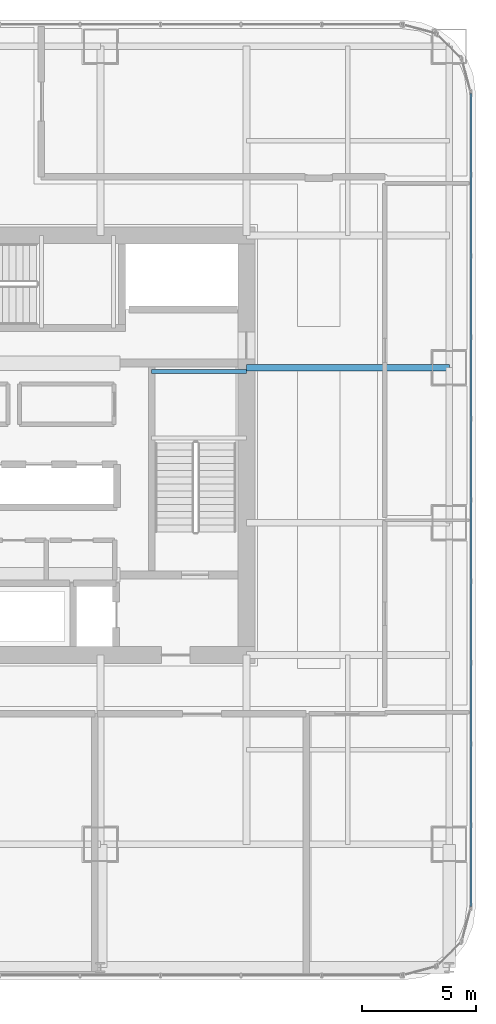
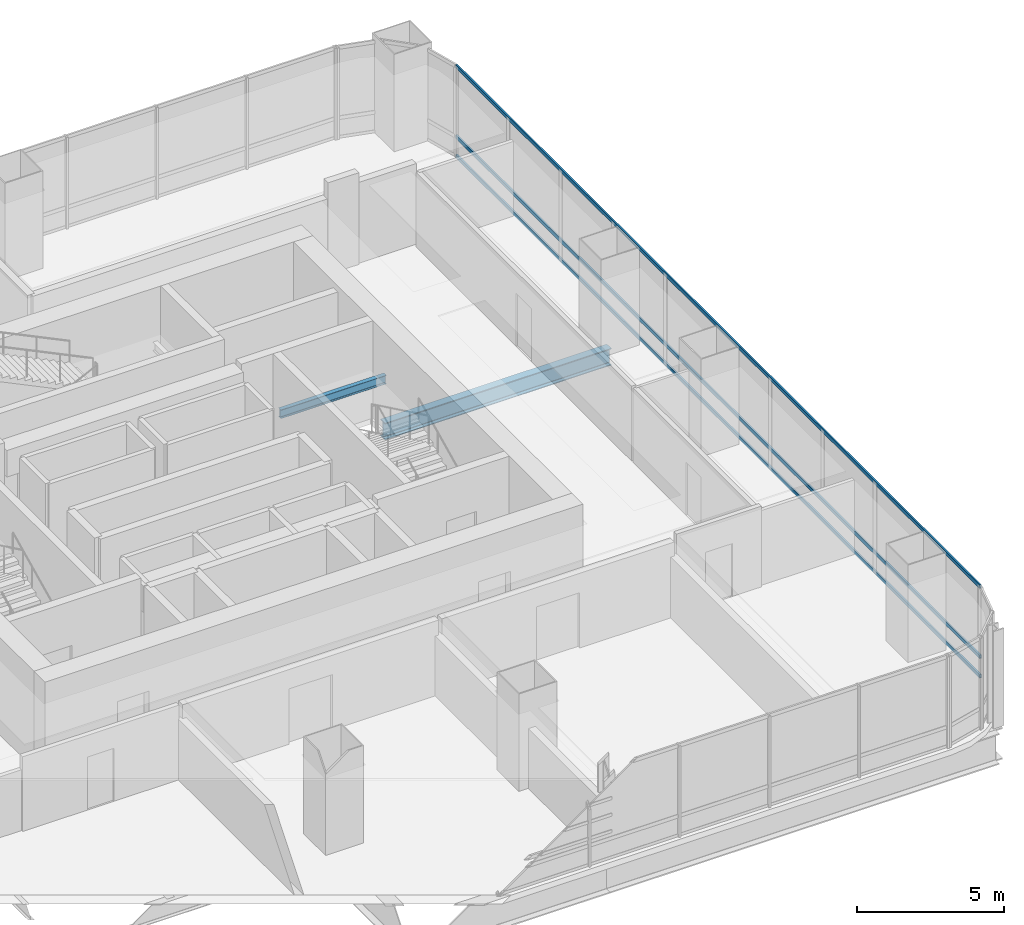
# One storey, part 16 of 36: 3 members, 2 beams, 1 element without a shape of its own.
"""IFC4 building model written with IfcOpenShell, lengths in metres."""

import ifcopenshell
import ifcopenshell.guid

model = None  # the IFC model being written
_history = None  # IfcOwnerHistory: only IFC2X3 demands one
_inside = {}  # id of a spatial element -> (the spatial element, [elements in it])
_under = {}  # id of a project, library or spatial element -> (it, [spatial elements below it])
_declared = {}  # id of a project -> (the project, [libraries it declares])
_typed = {}  # id of a type object -> (the type object, [elements of that type])
_made_of = {}  # id of a material, layer set ... -> (it, [elements and type objects made of it])


def new_model(schema):
    """Start an empty IFC model of exactly this schema.

    Asked for "IFC4X3", IfcOpenShell would pick the latest addendum, in which some entities
    have other attributes; the version numbers below select the first issue.
    IFC2X3 requires an IfcOwnerHistory on every rooted entity: one is made here for all.
    """
    global model, _history
    if schema == "IFC4X3":
        model = ifcopenshell.file(schema_version=(4, 3, 0, 0))
    else:
        model = ifcopenshell.file(schema=schema)
    _inside.clear()
    _under.clear()
    _declared.clear()
    _typed.clear()
    _made_of.clear()
    _history = None
    if model.schema == "IFC2X3":
        org = make("IfcOrganization", Name="unknown")
        user = make(
            "IfcPersonAndOrganization",
            ThePerson=make("IfcPerson", FamilyName="unknown"),
            TheOrganization=org,
        )
        app = make(
            "IfcApplication",
            ApplicationDeveloper=org,
            Version="unknown",
            ApplicationFullName="unknown",
            ApplicationIdentifier="unknown",
        )
        _history = make(
            "IfcOwnerHistory",
            OwningUser=user,
            OwningApplication=app,
            ChangeAction="ADDED",
            CreationDate=0,
        )
    return model


def make(cls, **values):
    """One entity of the class cls with the attributes given. An attribute that is None is left unset."""
    return model.create_entity(
        cls, **{name: value for name, value in values.items() if value is not None}
    )


def rooted(cls, **values):
    """An entity with a GlobalId (a new one), such as an element, a storey or a relation."""
    return make(cls, GlobalId=ifcopenshell.guid.new(), OwnerHistory=_history, **values)


def si_unit(unit_type, name, prefix=None):
    """IfcSIUnit, for example si_unit("LENGTHUNIT", "METRE", prefix="MILLI")."""
    return make("IfcSIUnit", UnitType=unit_type, Prefix=prefix, Name=name)


def assignment(units):
    """IfcUnitAssignment: the units of a project."""
    return None if units is None else make("IfcUnitAssignment", Units=units)


def point(xyz):
    """IfcCartesianPoint."""
    return None if xyz is None else make("IfcCartesianPoint", Coordinates=xyz)


def direction(xyz):
    """IfcDirection."""
    return None if xyz is None else make("IfcDirection", DirectionRatios=xyz)


def frame(location, z_axis=None, x_axis=None):
    """IfcAxis2Placement3D, a coordinate frame: its origin and axes. An axis left out is left unset."""
    return make(
        "IfcAxis2Placement3D",
        Location=point(location),
        Axis=direction(z_axis),
        RefDirection=direction(x_axis),
    )


def frame_2d(location, x_axis=None):
    """IfcAxis2Placement2D, a coordinate frame in the plane: its origin and x axis."""
    return make(
        "IfcAxis2Placement2D", Location=point(location), RefDirection=direction(x_axis)
    )


def origin():
    """The frame at (0, 0, 0) with its axes left unset."""
    return frame((0.0, 0.0, 0.0))


def origin_2d():
    """The frame at (0, 0) in the plane with its x axis left unset."""
    return frame_2d((0.0, 0.0))


def place(relative_to, where):
    """IfcLocalPlacement: puts the frame where relative to a parent placement (None: the world)."""
    return make(
        "IfcLocalPlacement", PlacementRelTo=relative_to, RelativePlacement=where
    )


def context(
    kind, dimensions, precision=None, world=None, true_north=None, identifier=None
):
    """IfcGeometricRepresentationContext, for example the 3D "Model" context."""
    return make(
        "IfcGeometricRepresentationContext",
        ContextIdentifier=identifier,
        ContextType=kind,
        CoordinateSpaceDimension=dimensions,
        Precision=precision,
        WorldCoordinateSystem=world,
        TrueNorth=true_north,
    )


def subcontext(parent, identifier, kind, view, scale=None):
    """IfcGeometricRepresentationSubContext, for example "Body" below "Model"."""
    return make(
        "IfcGeometricRepresentationSubContext",
        ContextIdentifier=identifier,
        ContextType=kind,
        ParentContext=parent,
        TargetScale=scale,
        TargetView=view,
    )


def project(units=None, contexts=None):
    """IfcProject with its units and contexts."""
    return rooted(
        "IfcProject",
        Name="project",
        RepresentationContexts=contexts,
        UnitsInContext=assignment(units),
    )


def spatial(cls, under=None, at=None, **own):
    """A site, building, storey or space (cls), placed at a placement, below another one or the project."""
    s = rooted(cls, ObjectPlacement=at, **own)
    if under is not None:
        _under.setdefault(under.id(), (under, []))[1].append(s)
    return s


def profile(cls, at=None, kind="AREA", **sizes):
    """A parametric profile (cls). Its sizes go by their IFC names, for example OverallWidth=200.0."""
    return make(cls, ProfileType=kind, Position=at, **sizes)


def hollow_rectangle(**sizes):
    """IfcRectangleHollowProfileDef."""
    return profile("IfcRectangleHollowProfileDef", **sizes)


def i_section(**sizes):
    """IfcIShapeProfileDef."""
    return profile("IfcIShapeProfileDef", **sizes)


def extrude(swept, where, along, depth):
    """IfcExtrudedAreaSolid: the profile swept, set in the frame where, extruded along a direction by depth."""
    return make(
        "IfcExtrudedAreaSolid",
        SweptArea=swept,
        Position=where,
        ExtrudedDirection=direction(along),
        Depth=depth,
    )


def shape(context_of_items, identifier, shape_type, items):
    """IfcShapeRepresentation: the items that make up one representation, for example the "Body"."""
    return make(
        "IfcShapeRepresentation",
        ContextOfItems=context_of_items,
        RepresentationIdentifier=identifier,
        RepresentationType=shape_type,
        Items=items,
    )


def material(Name=None, Category=None):
    """IfcMaterial."""
    return make("IfcMaterial", Name=Name, Category=Category)


def material_profile(
    of_material, cross_section, Name=None, Category=None, Priority=None
):
    """IfcMaterialProfile: a cross section and its material."""
    return make(
        "IfcMaterialProfile",
        Name=Name,
        Material=of_material,
        Profile=cross_section,
        Priority=Priority,
        Category=Category,
    )


def profile_set(profiles, Name=None, composite=None):
    """IfcMaterialProfileSet."""
    return make(
        "IfcMaterialProfileSet",
        Name=Name,
        MaterialProfiles=profiles,
        CompositeProfile=composite,
    )


def made_of(thing, what):
    """Note that an element or type object is made of a material, layer set ...; save() writes the relation."""
    if what is not None:
        _made_of.setdefault(what.id(), (what, []))[1].append(thing)
    return thing


def type_object(cls, material=None, **own):
    """A type object (cls), such as IfcWallType, which elements share."""
    return made_of(rooted(cls, **own), material)


def element(
    cls,
    number,
    at=None,
    inside=None,
    cuts=None,
    type_object=None,
    material=None,
    context=None,
    identifier="Body",
    shape_type=None,
    held_by="IfcProductDefinitionShape",
    body=None,
    shapes=None,
    **own,
):
    """One element of the class cls, such as IfcWall. Its Tag is "e" and its number.

    at: its placement. inside: the storey or other place that contains it. cuts: it is an
    opening in that element (IfcRelVoidsElement). A single representation is given by context,
    identifier, shape_type and body (its items); several are given by shapes. held_by: the class
    of the entity that holds the representations. save() writes the other relations.
    """
    e = rooted(cls, Tag="e%d" % number, ObjectPlacement=at, **own)
    if body is not None:
        shapes = [shape(context, identifier, shape_type, body)]
    if shapes is not None:
        e.Representation = make(held_by, Representations=shapes)
    if inside is not None:
        _inside.setdefault(inside.id(), (inside, []))[1].append(e)
    if cuts is not None:
        rooted(
            "IfcRelVoidsElement", RelatingBuildingElement=cuts, RelatedOpeningElement=e
        )
    if type_object is not None:
        _typed.setdefault(type_object.id(), (type_object, []))[1].append(e)
    return made_of(e, material)


def aggregate(whole, parts):
    """IfcRelAggregates: a whole, such as a stair, and the parts it consists of."""
    return rooted("IfcRelAggregates", RelatingObject=whole, RelatedObjects=parts)


def save(model, path):
    """Write the relations noted so far, then the file.

    IfcRelAggregates (storeys below a building ...), IfcRelContainedInSpatialStructure (elements
    in a storey), IfcRelDefinesByType, IfcRelAssociatesMaterial and IfcRelDeclares: one each for
    every whole, place, type object, material and project.
    """
    for whole, parts in _under.values():
        aggregate(whole, parts)
    for where, things in _inside.values():
        rooted(
            "IfcRelContainedInSpatialStructure",
            RelatedElements=things,
            RelatingStructure=where,
        )
    for kind, things in _typed.values():
        rooted("IfcRelDefinesByType", RelatedObjects=things, RelatingType=kind)
    for what, things in _made_of.values():
        rooted("IfcRelAssociatesMaterial", RelatedObjects=things, RelatingMaterial=what)
    for by, libraries in _declared.values():
        rooted("IfcRelDeclares", RelatingContext=by, RelatedDefinitions=libraries)
    model.write(path)


model = new_model("IFC4")

# Units and contexts
model_context = context("Model", 3, precision=1e-05, world=origin(), true_north=direction((0.0, 1.0)))
body_context = subcontext(model_context, "Body", "Model", "MODEL_VIEW")
ifc_project = project(units=[si_unit("LENGTHUNIT", "METRE"), si_unit("AREAUNIT", "SQUARE_METRE"), si_unit("VOLUMEUNIT", "CUBIC_METRE"), si_unit("PLANEANGLEUNIT", "RADIAN"), si_unit("MASSUNIT", "GRAM", prefix="KILO")], contexts=[model_context])

# Site, building, storey
site_placement = place(None, origin())
site = spatial("IfcSite", under=ifc_project, at=site_placement, CompositionType="ELEMENT")
building_placement = place(site_placement, origin())
building = spatial("IfcBuilding", under=site, at=building_placement, Name="Punatoya Terracotta Tower", CompositionType="ELEMENT")
storey_placement = place(building_placement, frame((0.0, 0.0, 48.449951171875)))
storey = spatial("IfcBuildingStorey", under=building, at=storey_placement, Name="L10", CompositionType="ELEMENT", Elevation=48.449951171875)

# Beams
ifc_material_1 = material(Name="Steel S355", Category="steel")
ifc_material_profile_1 = material_profile(ifc_material_1, i_section(OverallWidth=0.300048828125, OverallDepth=0.699951171875, WebThickness=0.01708984375, FlangeThickness=0.031982421875, FilletRadius=0.01806640625, at=origin_2d()))
ifc_profile_set_1 = profile_set([ifc_material_profile_1], Name="Steel S355")
beam_type_1 = type_object("IfcBeamType", Name="BM-PRI-700", PredefinedType="BEAM", material=ifc_profile_set_1)
beam_1_placement = place(storey_placement, frame((10.199951171875, 3.39990234375, -0.58984375), z_axis=(1.0, 0.0, 0.0), x_axis=(0.0, 1.0, 0.0)))
element("IfcBeam", 1, at=beam_1_placement, inside=storey, type_object=beam_type_1, Name="BM-L10-PR-EE", PredefinedType="BEAM", context=body_context, shape_type="SweptSolid", body=[
    extrude(i_section(OverallWidth=0.300048828125, OverallDepth=0.699951171875, WebThickness=0.01708984375, FlangeThickness=0.031982421875, FilletRadius=0.01806640625, at=origin_2d()), origin(), (0.0, 0.0, 1.0), 8.900146484375),
])
ifc_material_profile_2 = material_profile(ifc_material_1, i_section(OverallWidth=0.169921875, OverallDepth=0.360107421875, WebThickness=0.008056640625, FlangeThickness=0.0126953125, FilletRadius=0.01806640625, at=origin_2d()))
ifc_profile_set_2 = profile_set([ifc_material_profile_2], Name="Steel S355")
beam_type_2 = type_object("IfcBeamType", Name="BM-SEC-360", PredefinedType="JOIST", material=ifc_profile_set_2)
beam_2_placement = place(storey_placement, frame((6.050048828125, 3.22998046875, 1.64501953125), z_axis=(1.0, 0.0, 0.0), x_axis=(0.0, 1.0, 0.0)))
element("IfcBeam", 2, at=beam_2_placement, inside=storey, type_object=beam_type_2, Name="BM-L10-ST-2-LD1B", PredefinedType="JOIST", context=body_context, shape_type="SweptSolid", body=[
    extrude(i_section(OverallWidth=0.169921875, OverallDepth=0.360107421875, WebThickness=0.008056640625, FlangeThickness=0.0126953125, FilletRadius=0.01806640625, at=origin_2d()), origin(), (0.0, 0.0, 1.0), 4.14990234375),
])

# Curtain wall, members
ifc_material_2 = material(Name="Aluminium 6063-T6 + Double Low-E Glass", Category="aluminium")
curtain_wall_type = type_object("IfcCurtainWallType", Name="CW-M1", PredefinedType="NOTDEFINED", material=ifc_material_2)
curtain_wall_placement = place(storey_placement, origin())
curtain_wall = element("IfcCurtainWall", 3, at=curtain_wall_placement, inside=storey, type_object=curtain_wall_type, Name="L10 Curtain Wall CW-L10-E05-1", PredefinedType="NOTDEFINED")
ifc_material_3 = material(Name="Aluminium 6063-T6", Category="aluminium")
ifc_material_profile_3 = material_profile(ifc_material_3, hollow_rectangle(XDim=0.068115234375, YDim=0.14990234375, WallThickness=0.00390625, at=origin_2d()))
ifc_profile_set_3 = profile_set([ifc_material_profile_3], Name="Aluminium 6063-T6")
member_type = type_object("IfcMemberType", Name="CW-TRN-TYP", PredefinedType="USERDEFINED", material=ifc_profile_set_3)
member_1_placement = place(storey_placement, frame((20.050048828125, -20.23681640625, 0.0400390625), z_axis=(0.0, 1.0, 0.0), x_axis=(-1.0, 0.0, 0.0)))
member_1 = element("IfcMember", 4, at=member_1_placement, type_object=member_type, Name="CW-L10-E05-1 Transom 1", ObjectType="TRANSOM", PredefinedType="USERDEFINED", context=body_context, shape_type="SweptSolid", body=[
    extrude(hollow_rectangle(XDim=0.068115234375, YDim=0.14990234375, WallThickness=0.00390625, at=origin_2d()), origin(), (0.0, 0.0, 1.0), 35.673828125),
])
member_2_placement = place(storey_placement, frame((20.050048828125, -20.23681640625, 0.85009765625), z_axis=(0.0, 1.0, 0.0), x_axis=(-1.0, 0.0, 0.0)))
member_2 = element("IfcMember", 5, at=member_2_placement, type_object=member_type, Name="CW-L10-E05-1 Transom 2", ObjectType="TRANSOM", PredefinedType="USERDEFINED", context=body_context, shape_type="SweptSolid", body=[
    extrude(hollow_rectangle(XDim=0.068115234375, YDim=0.14990234375, WallThickness=0.00390625, at=origin_2d()), origin(), (0.0, 0.0, 1.0), 35.673828125),
])
member_3_placement = place(storey_placement, frame((20.050048828125, -20.23681640625, 3.77001953125), z_axis=(0.0, 1.0, 0.0), x_axis=(-1.0, 0.0, 0.0)))
member_3 = element("IfcMember", 6, at=member_3_placement, type_object=member_type, Name="CW-L10-E05-1 Transom 3", ObjectType="TRANSOM", PredefinedType="USERDEFINED", context=body_context, shape_type="SweptSolid", body=[
    extrude(hollow_rectangle(XDim=0.068115234375, YDim=0.14990234375, WallThickness=0.00390625, at=origin_2d()), origin(), (0.0, 0.0, 1.0), 35.673828125),
])
aggregate(curtain_wall, [member_1, member_2, member_3])

save(model, "model.ifc")
